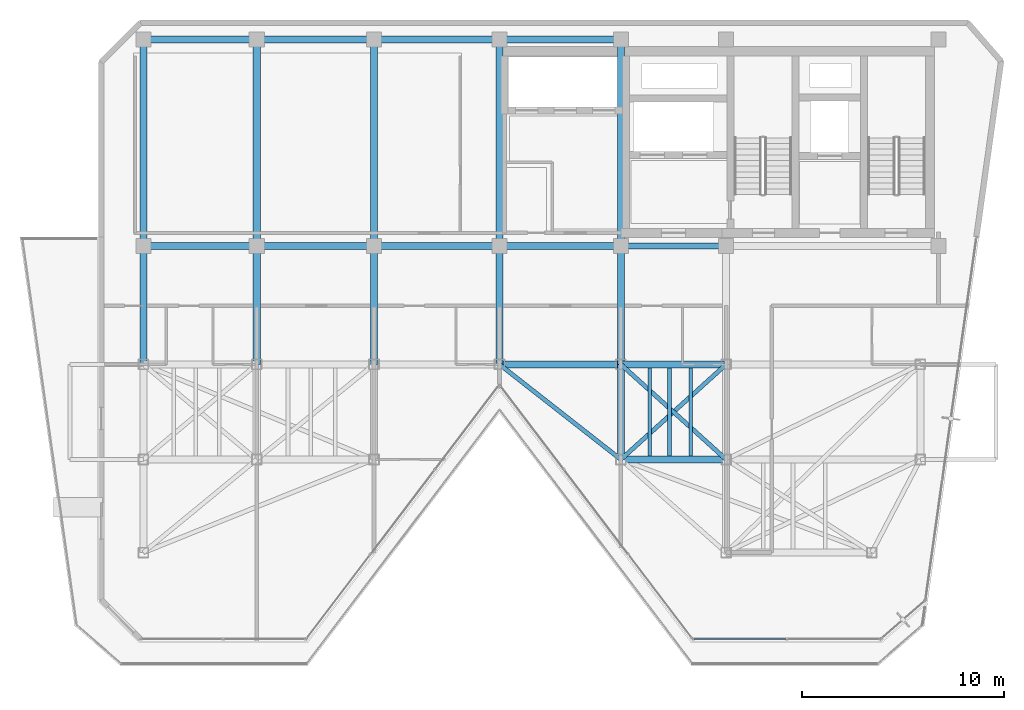
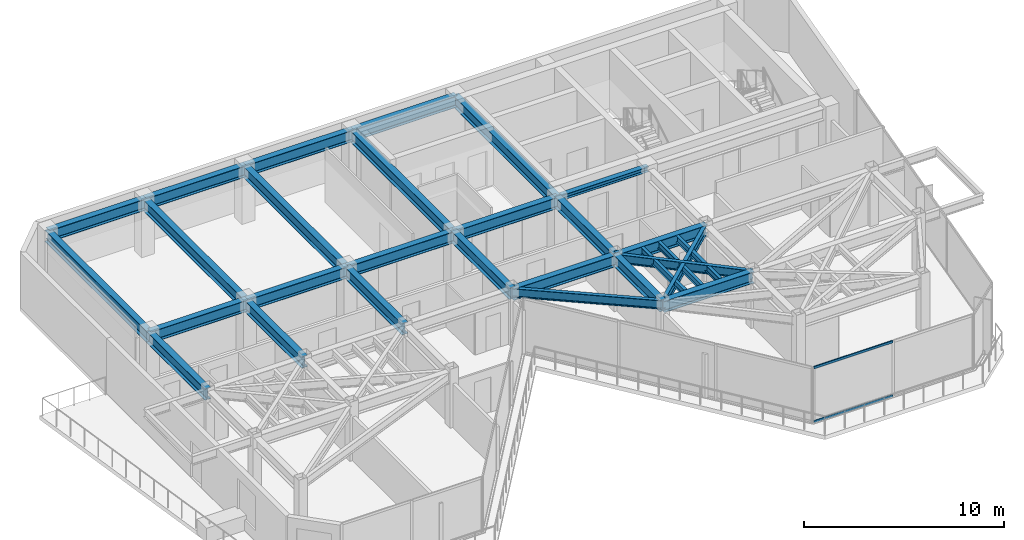
# One storey, part 8 of 20: 29 beams, 2 members, 1 element without a shape of its own.
"""IFC4 building model written with IfcOpenShell, lengths in metres."""

from ifc_helpers import new_model, si_unit, direction, frame, origin, origin_2d, place, context, subcontext, project, spatial, hollow_rectangle, i_section, extrude, material, layer, layer_set, material_profile, profile_set, type_object, element, aggregate, save


model = new_model("IFC4")

# Units and contexts
model_context = context("Model", 3, precision=1e-05, world=origin(), true_north=direction((0.0, 1.0)))
body_context = subcontext(model_context, "Body", "Model", "MODEL_VIEW")
ifc_project = project(units=[si_unit("LENGTHUNIT", "METRE"), si_unit("AREAUNIT", "SQUARE_METRE"), si_unit("VOLUMEUNIT", "CUBIC_METRE"), si_unit("PLANEANGLEUNIT", "RADIAN"), si_unit("MASSUNIT", "GRAM", prefix="KILO")], contexts=[model_context])

# Site, building, storey
site_placement = place(None, origin())
site = spatial("IfcSite", under=ifc_project, at=site_placement, CompositionType="ELEMENT")
building_placement = place(site_placement, origin())
building = spatial("IfcBuilding", under=site, at=building_placement, Name="Kravanh Interchange Tower", CompositionType="ELEMENT")
storey_placement = place(building_placement, frame((0.0, 0.0, 245.39990234375)))
storey = spatial("IfcBuildingStorey", under=building, at=storey_placement, Name="L59", CompositionType="ELEMENT", Elevation=245.39990234375)

# Curtain wall, members
ifc_material_1 = material(Name="Anodised Bronze Aluminium", Category="aluminium")
ifc_layer = layer(ifc_material_1, 0.179931640625)
ifc_layer_set = layer_set([ifc_layer], Name="Unitised Curtain Wall System CW-HTL Luxury Hotel")
curtain_wall_type = type_object("IfcCurtainWallType", Name="Unitised Curtain Wall System CW-HTL Luxury Hotel", PredefinedType="NOTDEFINED", material=ifc_layer_set)
curtain_wall_placement = place(storey_placement, origin())
curtain_wall = element("IfcCurtainWall", 1, at=curtain_wall_placement, inside=storey, type_object=curtain_wall_type, Name="L59 Unitised Curtain Wall CW-L59-03", PredefinedType="NOTDEFINED")
ifc_material_2 = material(Name="Anodised Bronze Aluminium", Category="aluminium")
ifc_material_profile_1 = material_profile(ifc_material_2, hollow_rectangle(XDim=0.06005859375, YDim=0.139892578125, WallThickness=0.00390625, at=origin_2d()), Name="ALU60X140X4")
ifc_profile_set_1 = profile_set([ifc_material_profile_1], Name="Anodised Bronze Aluminium")
member_type = type_object("IfcMemberType", Name="Curtain Wall Transom ALU60X140X4 Bronze", PredefinedType="USERDEFINED", material=ifc_profile_set_1)
member_1_placement = place(storey_placement, frame((58.969970703125, 17.919921875, 0.030029296875), z_axis=(-1.0, 0.0, 0.0), x_axis=(0.0, -1.0, 0.0)))
member_1 = element("IfcMember", 2, at=member_1_placement, type_object=member_type, Name="CW-HTL transom 2.1", ObjectType="TRANSOM", PredefinedType="USERDEFINED", context=body_context, shape_type="SweptSolid", body=[
    extrude(hollow_rectangle(XDim=0.06005859375, YDim=0.139892578125, WallThickness=0.00390625, at=origin_2d()), origin(), (0.0, 0.0, 1.0), 4.550537109375),
])
member_2_placement = place(storey_placement, frame((58.969970703125, 17.919921875, 3.330078125), z_axis=(-1.0, 0.0, 0.0), x_axis=(0.0, -1.0, 0.0)))
member_2 = element("IfcMember", 3, at=member_2_placement, type_object=member_type, Name="CW-HTL transom 2.2", ObjectType="TRANSOM", PredefinedType="USERDEFINED", context=body_context, shape_type="SweptSolid", body=[
    extrude(hollow_rectangle(XDim=0.06005859375, YDim=0.139892578125, WallThickness=0.00390625, at=origin_2d()), origin(), (0.0, 0.0, 1.0), 4.550537109375),
])
aggregate(curtain_wall, [member_1, member_2])

# Beams
ifc_material_3 = material(Name="Structural Steel S355", Category="steel")
ifc_material_profile_2 = material_profile(ifc_material_3, i_section(OverallWidth=0.35498046875, OverallDepth=0.696044921875, WebThickness=0.015380859375, FlangeThickness=0.02490234375, FilletRadius=0.02392578125, at=origin_2d()), Name="W27X146")
ifc_profile_set_2 = profile_set([ifc_material_profile_2], Name="Structural Steel S355")
beam_type_1 = type_object("IfcBeamType", Name="Floor Beam W27X146 Structural Steel S355", PredefinedType="BEAM", material=ifc_profile_set_2)
beam_1_placement = place(storey_placement, frame((44.800048828125, 31.5, 3.01220703125), z_axis=(0.0, 1.0, 0.0), x_axis=(-1.0, 0.0, 0.0)))
element("IfcBeam", 4, at=beam_1_placement, inside=storey, type_object=beam_type_1, Name="L59 Primary Floor Girder 1", PredefinedType="BEAM", context=body_context, shape_type="SweptSolid", body=[
    extrude(i_section(OverallWidth=0.35498046875, OverallDepth=0.696044921875, WebThickness=0.015380859375, FlangeThickness=0.02490234375, FilletRadius=0.02392578125, at=origin_2d()), origin(), (0.0, 0.0, 1.0), 5.85009765625),
])
beam_2_placement = place(storey_placement, frame((44.800048828125, 31.5, 3.01220703125), z_axis=(1.0, 0.0, 0.0), x_axis=(0.0, 1.0, 0.0)))
element("IfcBeam", 5, at=beam_2_placement, inside=storey, type_object=beam_type_1, Name="L59 Primary Floor Girder 2", PredefinedType="BEAM", context=body_context, shape_type="SweptSolid", body=[
    extrude(i_section(OverallWidth=0.35498046875, OverallDepth=0.696044921875, WebThickness=0.015380859375, FlangeThickness=0.02490234375, FilletRadius=0.02392578125, at=origin_2d()), origin(), (0.0, 0.0, 1.0), 6.0),
])
beam_3_placement = place(storey_placement, frame((50.800048828125, 31.5, 3.01220703125), z_axis=(0.0, -1.0, 0.0), x_axis=(1.0, 0.0, 0.0)))
element("IfcBeam", 6, at=beam_3_placement, inside=storey, type_object=beam_type_1, Name="L59 Primary Floor Girder 5", PredefinedType="BEAM", context=body_context, shape_type="SweptSolid", body=[
    extrude(i_section(OverallWidth=0.35498046875, OverallDepth=0.696044921875, WebThickness=0.015380859375, FlangeThickness=0.02490234375, FilletRadius=0.02392578125, at=origin_2d()), origin(), (0.0, 0.0, 1.0), 4.699951171875),
])
beam_4_placement = place(storey_placement, frame((50.800048828125, 31.5, 3.01220703125), z_axis=(1.0, 0.0, 0.0), x_axis=(0.0, 1.0, 0.0)))
element("IfcBeam", 7, at=beam_4_placement, inside=storey, type_object=beam_type_1, Name="L59 Primary Floor Girder 6", PredefinedType="BEAM", context=body_context, shape_type="SweptSolid", body=[
    extrude(i_section(OverallWidth=0.35498046875, OverallDepth=0.696044921875, WebThickness=0.015380859375, FlangeThickness=0.02490234375, FilletRadius=0.02392578125, at=origin_2d()), origin(), (0.0, 0.0, 1.0), 5.199951171875),
])
for number, where, z_axis, x_axis, name in (
    (8, (50.800048828125, 31.5, 3.01220703125), (0.0, 1.0, 0.0), (-1.0, 0.0, 0.0), "L59 Primary Floor Girder 7"),
    (9, (38.60009765625, 31.5, 3.01220703125), (0.0, 1.0, 0.0), (-1.0, 0.0, 0.0), "L59 Primary Floor Girder 19"),
    (10, (32.800048828125, 31.5, 3.01220703125), (0.0, 1.0, 0.0), (-1.0, 0.0, 0.0), "L59 Primary Floor Girder 23"),
    (11, (27.199951171875, 31.5, 3.01220703125), (0.0, 1.0, 0.0), (-1.0, 0.0, 0.0), "L59 Primary Floor Girder 26"),
):
    element("IfcBeam", number, at=place(storey_placement, frame(where, z_axis=z_axis, x_axis=x_axis)), inside=storey, type_object=beam_type_1, Name=name, PredefinedType="BEAM", context=body_context, shape_type="SweptSolid", body=[
        extrude(i_section(OverallWidth=0.35498046875, OverallDepth=0.696044921875, WebThickness=0.015380859375, FlangeThickness=0.02490234375, FilletRadius=0.02392578125, at=origin_2d()), origin(), (0.0, 0.0, 1.0), 5.85009765625),
    ])
beam_5_placement = place(storey_placement, frame((50.800048828125, 26.800048828125, 3.01220703125), z_axis=(1.0, 0.0, 0.0), x_axis=(0.0, 1.0, 0.0)))
element("IfcBeam", 12, at=beam_5_placement, inside=storey, type_object=beam_type_1, Name="L59 Primary Floor Girder 31", PredefinedType="BEAM", context=body_context, shape_type="SweptSolid", body=[
    extrude(i_section(OverallWidth=0.35498046875, OverallDepth=0.696044921875, WebThickness=0.015380859375, FlangeThickness=0.02490234375, FilletRadius=0.02392578125, at=origin_2d()), origin(), (0.0, 0.0, 1.0), 5.199951171875),
])
beam_6_placement = place(storey_placement, frame((50.800048828125, 47.550048828125, 3.01220703125), z_axis=(-1.0, 0.0, 0.0), x_axis=(0.0, -1.0, 0.0)))
element("IfcBeam", 13, at=beam_6_placement, inside=storey, type_object=beam_type_1, Name="L59 Primary Floor Girder 49", PredefinedType="BEAM", context=body_context, shape_type="SweptSolid", body=[
    extrude(i_section(OverallWidth=0.35498046875, OverallDepth=0.696044921875, WebThickness=0.015380859375, FlangeThickness=0.02490234375, FilletRadius=0.02392578125, at=origin_2d()), origin(), (0.0, 0.0, 1.0), 6.0),
])
beam_7_placement = place(storey_placement, frame((50.800048828125, 47.550048828125, 3.01220703125), z_axis=(0.0, -1.0, 0.0), x_axis=(1.0, 0.0, 0.0)))
element("IfcBeam", 14, at=beam_7_placement, inside=storey, type_object=beam_type_1, Name="L59 Primary Floor Girder 50", PredefinedType="BEAM", context=body_context, shape_type="SweptSolid", body=[
    extrude(i_section(OverallWidth=0.35498046875, OverallDepth=0.696044921875, WebThickness=0.015380859375, FlangeThickness=0.02490234375, FilletRadius=0.02392578125, at=origin_2d()), origin(), (0.0, 0.0, 1.0), 10.199951171875),
])
beam_8_placement = place(storey_placement, frame((50.800048828125, 37.35009765625, 3.01220703125), z_axis=(-1.0, 0.0, 0.0), x_axis=(0.0, -1.0, 0.0)))
element("IfcBeam", 15, at=beam_8_placement, inside=storey, type_object=beam_type_1, Name="L59 Primary Floor Girder 51", PredefinedType="BEAM", context=body_context, shape_type="SweptSolid", body=[
    extrude(i_section(OverallWidth=0.35498046875, OverallDepth=0.696044921875, WebThickness=0.015380859375, FlangeThickness=0.02490234375, FilletRadius=0.02392578125, at=origin_2d()), origin(), (0.0, 0.0, 1.0), 6.0),
])
beam_9_placement = place(storey_placement, frame((44.800048828125, 37.35009765625, 3.01220703125), z_axis=(-1.0, 0.0, 0.0), x_axis=(0.0, -1.0, 0.0)))
element("IfcBeam", 16, at=beam_9_placement, inside=storey, type_object=beam_type_1, Name="L59 Primary Floor Girder 52", PredefinedType="BEAM", context=body_context, shape_type="SweptSolid", body=[
    extrude(i_section(OverallWidth=0.35498046875, OverallDepth=0.696044921875, WebThickness=0.015380859375, FlangeThickness=0.02490234375, FilletRadius=0.02392578125, at=origin_2d()), origin(), (0.0, 0.0, 1.0), 6.199951171875),
])
beam_10_placement = place(storey_placement, frame((44.800048828125, 37.35009765625, 3.01220703125), z_axis=(0.0, 1.0, 0.0), x_axis=(-1.0, 0.0, 0.0)))
element("IfcBeam", 17, at=beam_10_placement, inside=storey, type_object=beam_type_1, Name="L59 Primary Floor Girder 53", PredefinedType="BEAM", context=body_context, shape_type="SweptSolid", body=[
    extrude(i_section(OverallWidth=0.35498046875, OverallDepth=0.696044921875, WebThickness=0.015380859375, FlangeThickness=0.02490234375, FilletRadius=0.02392578125, at=origin_2d()), origin(), (0.0, 0.0, 1.0), 10.199951171875),
])
beam_11_placement = place(storey_placement, frame((44.800048828125, 47.550048828125, 3.01220703125), z_axis=(-1.0, 0.0, 0.0), x_axis=(0.0, -1.0, 0.0)))
element("IfcBeam", 18, at=beam_11_placement, inside=storey, type_object=beam_type_1, Name="L59 Primary Floor Girder 54", PredefinedType="BEAM", context=body_context, shape_type="SweptSolid", body=[
    extrude(i_section(OverallWidth=0.35498046875, OverallDepth=0.696044921875, WebThickness=0.015380859375, FlangeThickness=0.02490234375, FilletRadius=0.02392578125, at=origin_2d()), origin(), (0.0, 0.0, 1.0), 6.199951171875),
])
beam_12_placement = place(storey_placement, frame((38.60009765625, 37.35009765625, 3.01220703125), z_axis=(-1.0, 0.0, 0.0), x_axis=(0.0, -1.0, 0.0)))
element("IfcBeam", 19, at=beam_12_placement, inside=storey, type_object=beam_type_1, Name="L59 Primary Floor Girder 55", PredefinedType="BEAM", context=body_context, shape_type="SweptSolid", body=[
    extrude(i_section(OverallWidth=0.35498046875, OverallDepth=0.696044921875, WebThickness=0.015380859375, FlangeThickness=0.02490234375, FilletRadius=0.02392578125, at=origin_2d()), origin(), (0.0, 0.0, 1.0), 5.800048828125),
])
beam_13_placement = place(storey_placement, frame((38.60009765625, 37.35009765625, 3.01220703125), z_axis=(0.0, 1.0, 0.0), x_axis=(-1.0, 0.0, 0.0)))
element("IfcBeam", 20, at=beam_13_placement, inside=storey, type_object=beam_type_1, Name="L59 Primary Floor Girder 56", PredefinedType="BEAM", context=body_context, shape_type="SweptSolid", body=[
    extrude(i_section(OverallWidth=0.35498046875, OverallDepth=0.696044921875, WebThickness=0.015380859375, FlangeThickness=0.02490234375, FilletRadius=0.02392578125, at=origin_2d()), origin(), (0.0, 0.0, 1.0), 10.199951171875),
])
beam_14_placement = place(storey_placement, frame((38.60009765625, 47.550048828125, 3.01220703125), z_axis=(-1.0, 0.0, 0.0), x_axis=(0.0, -1.0, 0.0)))
element("IfcBeam", 21, at=beam_14_placement, inside=storey, type_object=beam_type_1, Name="L59 Primary Floor Girder 57", PredefinedType="BEAM", context=body_context, shape_type="SweptSolid", body=[
    extrude(i_section(OverallWidth=0.35498046875, OverallDepth=0.696044921875, WebThickness=0.015380859375, FlangeThickness=0.02490234375, FilletRadius=0.02392578125, at=origin_2d()), origin(), (0.0, 0.0, 1.0), 5.800048828125),
])
beam_15_placement = place(storey_placement, frame((32.800048828125, 37.35009765625, 3.01220703125), z_axis=(-1.0, 0.0, 0.0), x_axis=(0.0, -1.0, 0.0)))
element("IfcBeam", 22, at=beam_15_placement, inside=storey, type_object=beam_type_1, Name="L59 Primary Floor Girder 58", PredefinedType="BEAM", context=body_context, shape_type="SweptSolid", body=[
    extrude(i_section(OverallWidth=0.35498046875, OverallDepth=0.696044921875, WebThickness=0.015380859375, FlangeThickness=0.02490234375, FilletRadius=0.02392578125, at=origin_2d()), origin(), (0.0, 0.0, 1.0), 5.60009765625),
])
beam_16_placement = place(storey_placement, frame((32.800048828125, 37.35009765625, 3.01220703125), z_axis=(0.0, 1.0, 0.0), x_axis=(-1.0, 0.0, 0.0)))
element("IfcBeam", 23, at=beam_16_placement, inside=storey, type_object=beam_type_1, Name="L59 Primary Floor Girder 59", PredefinedType="BEAM", context=body_context, shape_type="SweptSolid", body=[
    extrude(i_section(OverallWidth=0.35498046875, OverallDepth=0.696044921875, WebThickness=0.015380859375, FlangeThickness=0.02490234375, FilletRadius=0.02392578125, at=origin_2d()), origin(), (0.0, 0.0, 1.0), 10.199951171875),
])
beam_17_placement = place(storey_placement, frame((32.800048828125, 47.550048828125, 3.01220703125), z_axis=(-1.0, 0.0, 0.0), x_axis=(0.0, -1.0, 0.0)))
element("IfcBeam", 24, at=beam_17_placement, inside=storey, type_object=beam_type_1, Name="L59 Primary Floor Girder 60", PredefinedType="BEAM", context=body_context, shape_type="SweptSolid", body=[
    extrude(i_section(OverallWidth=0.35498046875, OverallDepth=0.696044921875, WebThickness=0.015380859375, FlangeThickness=0.02490234375, FilletRadius=0.02392578125, at=origin_2d()), origin(), (0.0, 0.0, 1.0), 5.60009765625),
])
beam_18_placement = place(storey_placement, frame((27.199951171875, 37.35009765625, 3.01220703125), z_axis=(0.0, 1.0, 0.0), x_axis=(-1.0, 0.0, 0.0)))
element("IfcBeam", 25, at=beam_18_placement, inside=storey, type_object=beam_type_1, Name="L59 Primary Floor Girder 61", PredefinedType="BEAM", context=body_context, shape_type="SweptSolid", body=[
    extrude(i_section(OverallWidth=0.35498046875, OverallDepth=0.696044921875, WebThickness=0.015380859375, FlangeThickness=0.02490234375, FilletRadius=0.02392578125, at=origin_2d()), origin(), (0.0, 0.0, 1.0), 10.199951171875),
])
ifc_material_4 = material(Name="Structural Steel S355", Category="steel")
ifc_material_profile_3 = material_profile(ifc_material_4, i_section(OverallWidth=0.177978515625, OverallDepth=0.406005859375, WebThickness=0.0078125, FlangeThickness=0.0126953125, FilletRadius=0.01611328125, at=origin_2d()), Name="W16X40")
ifc_profile_set_3 = profile_set([ifc_material_profile_3], Name="Structural Steel S355")
beam_type_2 = type_object("IfcBeamType", Name="Floor Joist W16X40 Structural Steel S355", PredefinedType="JOIST", material=ifc_profile_set_3)
for number, where, z_axis, x_axis, name in (
    (26, (52.22998046875, 26.972412109375, 3.156982421875), (0.0, 1.0, 0.0), (-1.0, 0.0, 0.0), "L59 Secondary Floor Joist 10"),
    (27, (53.205078125, 26.972412109375, 3.156982421875), (0.0, 1.0, 0.0), (-1.0, 0.0, 0.0), "L59 Secondary Floor Joist 11"),
    (28, (54.258056640625, 26.972412109375, 3.156982421875), (0.0, 1.0, 0.0), (-1.0, 0.0, 0.0), "L59 Secondary Floor Joist 12"),
):
    element("IfcBeam", number, at=place(storey_placement, frame(where, z_axis=z_axis, x_axis=x_axis)), inside=storey, type_object=beam_type_2, Name=name, PredefinedType="JOIST", context=body_context, shape_type="SweptSolid", body=[
        extrude(i_section(OverallWidth=0.177978515625, OverallDepth=0.406005859375, WebThickness=0.0078125, FlangeThickness=0.0126953125, FilletRadius=0.01611328125, at=origin_2d()), origin(), (0.0, 0.0, 1.0), 4.35498046875),
    ])
ifc_material_5 = material(Name="Structural Steel S355", Category="steel")
ifc_material_profile_4 = material_profile(ifc_material_5, i_section(OverallWidth=0.304931640625, OverallDepth=0.306884765625, WebThickness=0.010009765625, FlangeThickness=0.015380859375, FilletRadius=0.014892578125, at=origin_2d()), Name="W12X65")
ifc_profile_set_4 = profile_set([ifc_material_profile_4], Name="Structural Steel S355")
beam_type_3 = type_object("IfcBeamType", Name="Floor Lintel W12X65 Structural Steel S355", PredefinedType="LINTEL", material=ifc_profile_set_4)
beam_19_placement = place(storey_placement, frame((50.800048828125, 37.35009765625, 3.20654296875), z_axis=(1.0, 0.0, 0.0), x_axis=(0.0, 1.0, 0.0)))
element("IfcBeam", 29, at=beam_19_placement, inside=storey, type_object=beam_type_3, Name="L59 Core Coupling Lintel 1", PredefinedType="LINTEL", context=body_context, shape_type="SweptSolid", body=[
    extrude(i_section(OverallWidth=0.304931640625, OverallDepth=0.306884765625, WebThickness=0.010009765625, FlangeThickness=0.015380859375, FilletRadius=0.014892578125, at=origin_2d()), origin(), (0.0, 0.0, 1.0), 5.199951171875),
])
ifc_material_6 = material(Name="Structural Steel S355", Category="steel")
ifc_material_profile_5 = material_profile(ifc_material_6, i_section(OverallWidth=0.2099609375, OverallDepth=0.537109375, WebThickness=0.010986328125, FlangeThickness=0.017333984375, FilletRadius=0.02001953125, at=origin_2d()), Name="W21X68")
ifc_profile_set_5 = profile_set([ifc_material_profile_5], Name="Structural Steel S355")
beam_type_4 = type_object("IfcBeamType", Name="Floor Spandrel W21X68 Structural Steel S355", PredefinedType="SPANDREL", material=ifc_profile_set_5)
beam_20_placement = place(storey_placement, frame((44.800048828125, 31.5, 3.091552734375), z_axis=(0.787231163579, -0.616658004967, 0.0), x_axis=(0.616658004967, 0.787231163579, 0.0)))
element("IfcBeam", 30, at=beam_20_placement, inside=storey, type_object=beam_type_4, Name="L59 Perimeter Spandrel 4", PredefinedType="SPANDREL", context=body_context, shape_type="SweptSolid", body=[
    extrude(i_section(OverallWidth=0.2099609375, OverallDepth=0.537109375, WebThickness=0.010986328125, FlangeThickness=0.017333984375, FilletRadius=0.02001953125, at=origin_2d()), origin(), (0.0, 0.0, 1.0), 7.62158203125),
])
for number, where, z_axis, x_axis, name in (
    (31, (50.800048828125, 31.5, 3.091552734375), (0.741874009795, -0.670539300557, 0.0), (0.670539300557, 0.741874009795, 0.0), "L59 Perimeter Spandrel 8"),
    (32, (56.0, 31.5, 3.091552734375), (-0.741874009795, -0.670539300557, 0.0), (0.670539300557, -0.741874009795, 0.0), "L59 Perimeter Spandrel 11"),
):
    element("IfcBeam", number, at=place(storey_placement, frame(where, z_axis=z_axis, x_axis=x_axis)), inside=storey, type_object=beam_type_4, Name=name, PredefinedType="SPANDREL", context=body_context, shape_type="SweptSolid", body=[
        extrude(i_section(OverallWidth=0.2099609375, OverallDepth=0.537109375, WebThickness=0.010986328125, FlangeThickness=0.017333984375, FilletRadius=0.02001953125, at=origin_2d()), origin(), (0.0, 0.0, 1.0), 7.00927734375),
    ])

save(model, "model.ifc")
